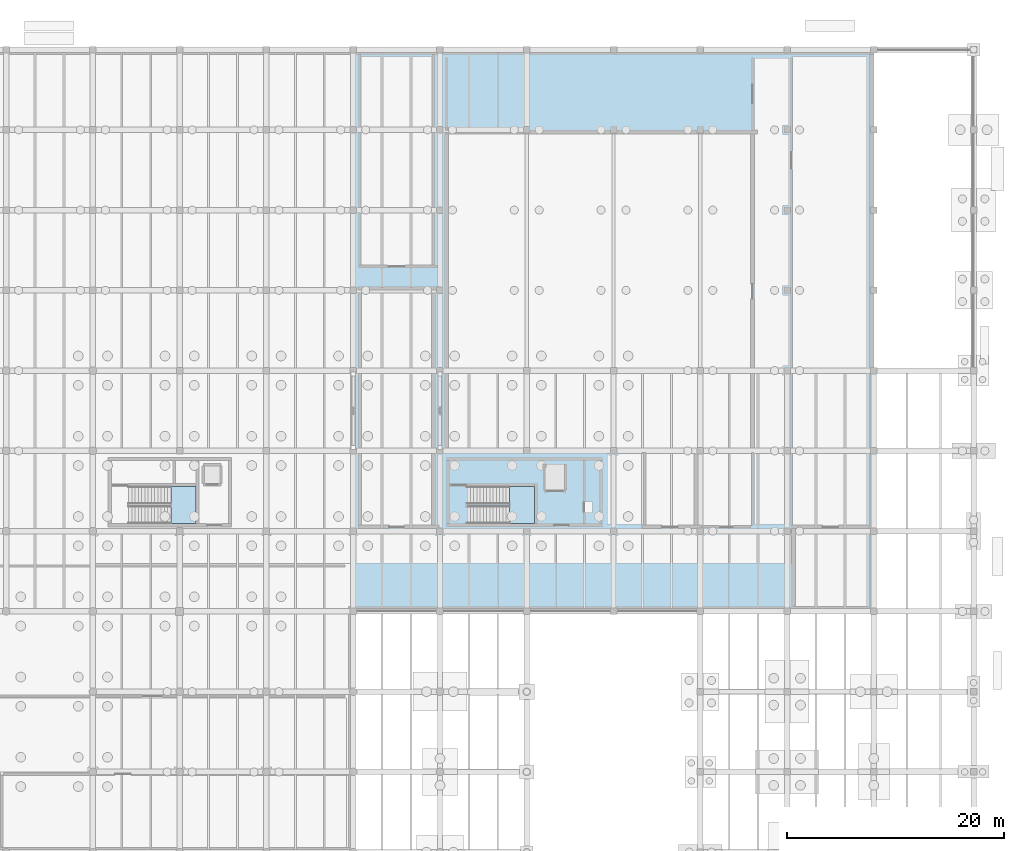
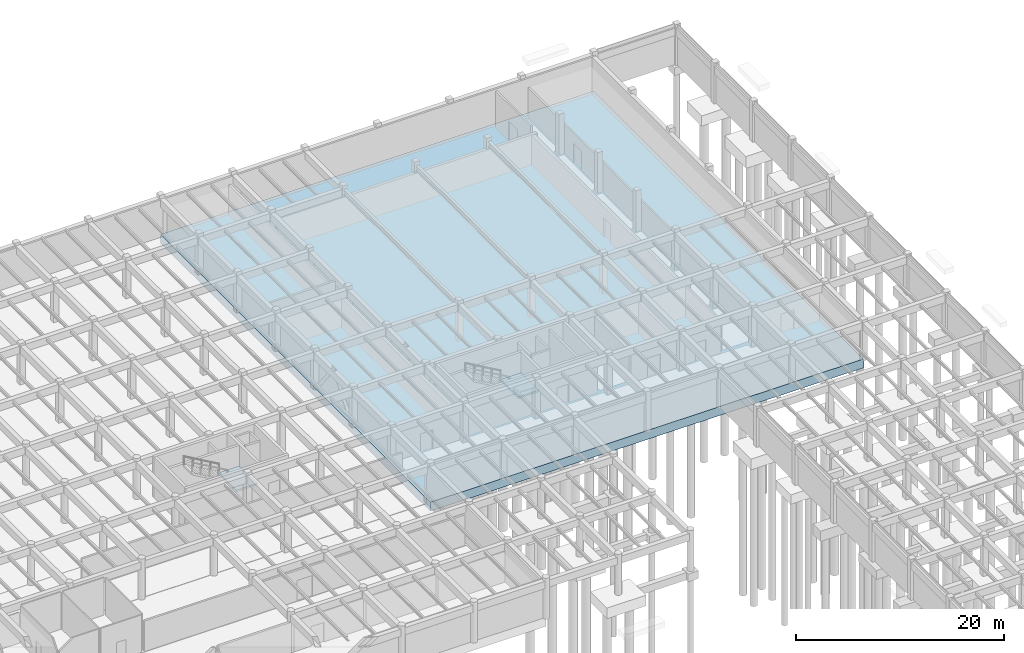
# One storey, part 16 of 40: 3 slabs, 2 elements without a shape of their own.
"""IFC4 building model written with IfcOpenShell, lengths in metres."""

from ifc_helpers import new_model, si_unit, direction, frame, origin, place, context, subcontext, project, spatial, polyline, outline, extrude, material, layer, layer_set, type_object, element, aggregate, save


model = new_model("IFC4")

# Units and contexts
model_context = context("Model", 3, precision=1e-05, world=origin(), true_north=direction((0.0, 1.0)))
body_context = subcontext(model_context, "Body", "Model", "MODEL_VIEW")
ifc_project = project(units=[si_unit("LENGTHUNIT", "METRE"), si_unit("AREAUNIT", "SQUARE_METRE"), si_unit("VOLUMEUNIT", "CUBIC_METRE"), si_unit("PLANEANGLEUNIT", "RADIAN"), si_unit("MASSUNIT", "GRAM", prefix="KILO")], contexts=[model_context])

# Site, building, storey
site_placement = place(None, origin())
site = spatial("IfcSite", under=ifc_project, at=site_placement, CompositionType="ELEMENT")
building_placement = place(site_placement, origin())
building = spatial("IfcBuilding", under=site, at=building_placement, Name="Valkorina Park Police Headquarters", CompositionType="ELEMENT")
storey_placement = place(building_placement, frame((0.0, 0.0, -4.800048828125)))
storey = spatial("IfcBuildingStorey", under=building, at=storey_placement, Name="B01", CompositionType="ELEMENT", Elevation=-4.800048828125)

# Stair, slab
ifc_material = material(Name="Concrete C35/45", Category="concrete")
stair_type = type_object("IfcStairType", Name="ST-DOGLEG-160-48", PredefinedType="HALF_TURN_STAIR", material=ifc_material)
stair_1_placement = place(storey_placement, origin())
stair_1 = element("IfcStair", 1, at=stair_1_placement, inside=storey, type_object=stair_type, Name="B01 Core C5 Protected Stair (ST-01)", PredefinedType="HALF_TURN_STAIR")
ifc_layer_1 = layer(ifc_material, 0.22998046875)
ifc_layer_set_1 = layer_set([ifc_layer_1], Name="Concrete C35/45")
slab_type_1 = type_object("IfcSlabType", Name="SL-LANDING-230", PredefinedType="LANDING", material=ifc_layer_set_1)
slab_1_placement = place(storey_placement, frame((0.0, 0.0, 2.170166015625)))
slab_1 = element("IfcSlab", 2, at=slab_1_placement, type_object=slab_type_1, Name="ST-01 landing 1", PredefinedType="LANDING", context=body_context, shape_type="SweptSolid", body=[
    extrude(outline(polyline([(119.199951171875, 67.300048828125), (121.5, 67.300048828125), (121.5, 70.699951171875), (119.199951171875, 70.699951171875), (119.199951171875, 67.300048828125)])), origin(), (0.0, 0.0, 1.0), 0.22998046875),
])
aggregate(stair_1, [slab_1])

stair_2_placement = place(storey_placement, origin())
stair_2 = element("IfcStair", 3, at=stair_2_placement, inside=storey, type_object=stair_type, Name="B01 Core C6 Protected Stair (ST-01)", PredefinedType="HALF_TURN_STAIR")
slab_2_placement = place(storey_placement, frame((0.0, 0.0, 2.170166015625)))
slab_2 = element("IfcSlab", 4, at=slab_2_placement, type_object=slab_type_1, Name="ST-01 landing 1", PredefinedType="LANDING", context=body_context, shape_type="SweptSolid", body=[
    extrude(outline(polyline([(88.0, 67.300048828125), (90.300048828125, 67.300048828125), (90.300048828125, 70.699951171875), (88.0, 70.699951171875), (88.0, 67.300048828125)])), origin(), (0.0, 0.0, 1.0), 0.22998046875),
])
aggregate(stair_2, [slab_2])

# Slab
ifc_layer_2 = layer(ifc_material, 1.050048828125)
ifc_layer_set_2 = layer_set([ifc_layer_2], Name="Concrete C35/45")
slab_type_2 = type_object("IfcSlabType", Name="SL-RAFT-1050", PredefinedType="BASESLAB", material=ifc_layer_set_2)
slab_3_placement = place(storey_placement, frame((0.0, 0.0, -1.050048828125)))
element("IfcSlab", 5, at=slab_3_placement, inside=storey, type_object=slab_type_2, Name="B01 Basement Raft Slab 2", PredefinedType="BASESLAB", context=body_context, shape_type="SweptSolid", body=[
    extrude(outline(polyline([(152.800048828125, 59.2080078125), (152.800048828125, 111.0), (104.800048828125, 111.0), (104.800048828125, 59.2080078125), (152.800048828125, 59.2080078125)])), origin(), (0.0, 0.0, 1.0), 1.050048828125),
])

save(model, "model.ifc")
